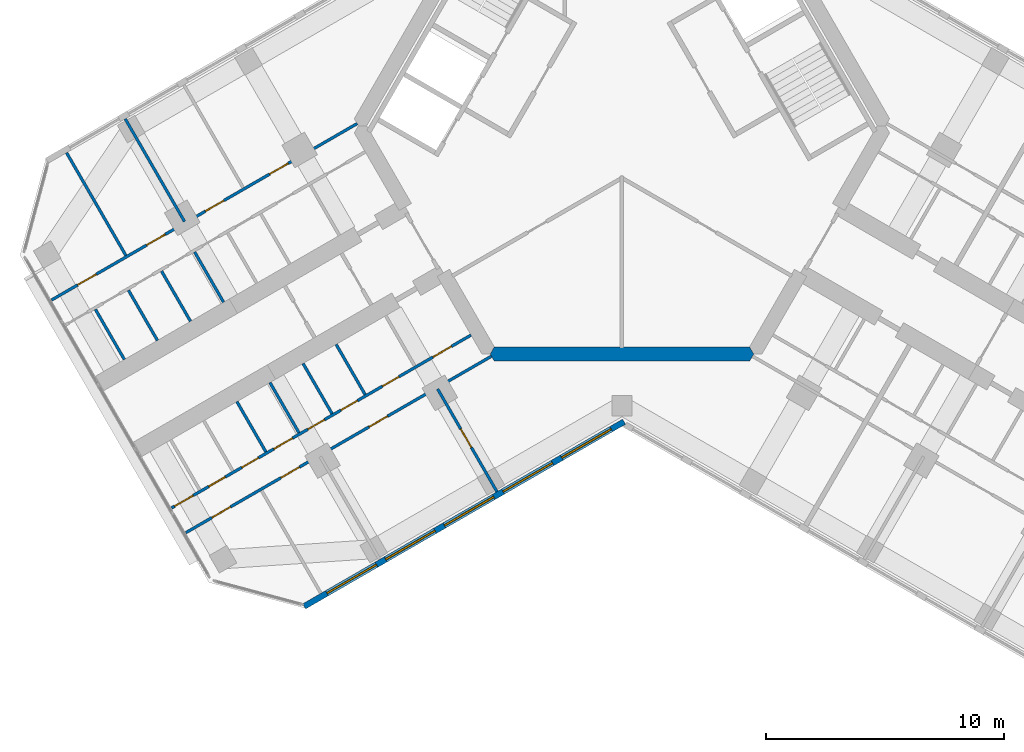
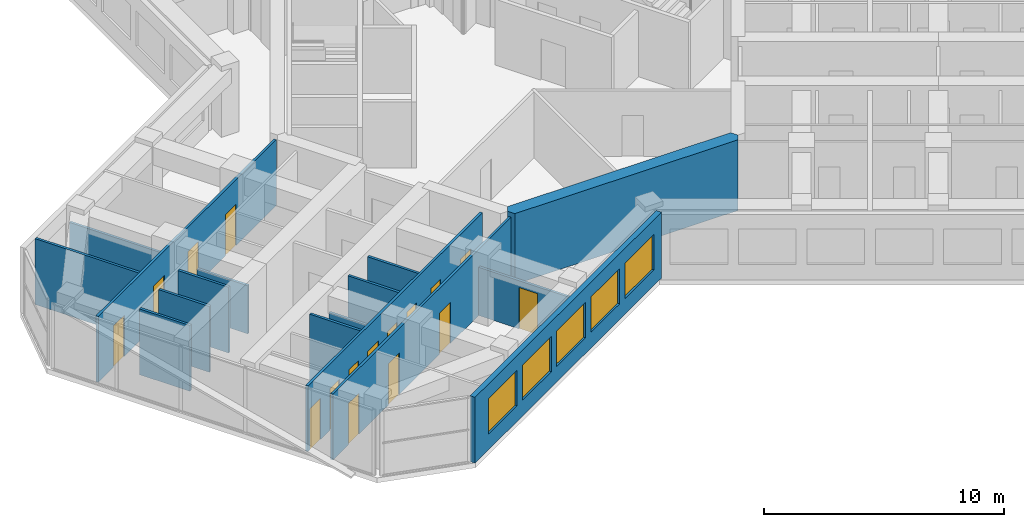
# One storey, part 8 of 16: 16 doors, 16 walls, 5 windows, 21 openings.
"""IFC4 building model written with IfcOpenShell, lengths in metres."""

from ifc_helpers import new_model, si_unit, direction, frame, frame_2d, origin, place, context, subcontext, project, spatial, polyline, rectangle, outline, extrude, material, layer, layer_set, type_object, element, fill, save


model = new_model("IFC4")

# Units and contexts
model_context = context("Model", 3, precision=1e-05, world=origin(), true_north=direction((0.0, 1.0)))
body_context = subcontext(model_context, "Body", "Model", "MODEL_VIEW")
ifc_project = project(units=[si_unit("LENGTHUNIT", "METRE"), si_unit("AREAUNIT", "SQUARE_METRE"), si_unit("VOLUMEUNIT", "CUBIC_METRE"), si_unit("PLANEANGLEUNIT", "RADIAN"), si_unit("MASSUNIT", "GRAM", prefix="KILO")], contexts=[model_context])

# Site, building, storey
site_placement = place(None, origin())
site = spatial("IfcSite", under=ifc_project, at=site_placement, CompositionType="ELEMENT")
building_placement = place(site_placement, origin())
building = spatial("IfcBuilding", under=site, at=building_placement, Name="Kosmar Iwan School Tower", CompositionType="ELEMENT")
storey_placement = place(building_placement, frame((0.0, 0.0, 242.39990234375)))
storey = spatial("IfcBuildingStorey", under=building, at=storey_placement, Name="L61", CompositionType="ELEMENT", Elevation=242.39990234375)

# Wall
ifc_material_1 = material(Name="Concrete C50/60", Category="concrete")
ifc_layer_1 = layer(ifc_material_1, 0.60009765625)
ifc_layer_set_1 = layer_set([ifc_layer_1], Name="Core wall 600")
wall_type_1 = type_object("IfcWallType", Name="Core wall 600", PredefinedType="SHEAR", material=ifc_layer_set_1)
wall_1_placement = place(storey_placement, origin())
element("IfcWall", 1, at=wall_1_placement, inside=storey, type_object=wall_type_1, Name="Core wall F270", PredefinedType="SHEAR", context=body_context, shape_type="SweptSolid", body=[
    extrude(outline(polyline([(-5.369384765625, -9.89990234375), (5.369384765625, -9.89990234375), (5.54248046875, -9.60009765625), (5.369384765625, -9.300048828125), (-5.369384765625, -9.300048828125), (-5.54248046875, -9.60009765625), (-5.369384765625, -9.89990234375)])), origin(), (0.0, 0.0, 1.0), 3.60009765625),
])

# Wall, openings, doors
ifc_material_2 = material(Name="Gypsum board on steel studs", Category="steel")
ifc_layer_2 = layer(ifc_material_2, 0.1201171875)
ifc_layer_set_2 = layer_set([ifc_layer_2], Name="Dwelling partition 120")
wall_type_2 = type_object("IfcWallType", Name="Dwelling partition 120", PredefinedType="PARTITIONING", material=ifc_layer_set_2)
wall_2_placement = place(storey_placement, frame((-6.3486328125, -8.8037109375, 0.0), z_axis=(0.0, 0.0, 1.0), x_axis=(-0.866020949409, -0.500007715126, 0.0)))
wall_2 = element("IfcWall", 2, at=wall_2_placement, inside=storey, type_object=wall_type_2, Name="Partition L61-BL1-W1", PredefinedType="PARTITIONING", context=body_context, shape_type="SweptSolid", body=[
    extrude(rectangle(XDim=14.545166015625, YDim=0.1201171875, at=frame_2d((7.2724609375, 0.0))), origin(), (0.0, 0.0, 1.0), 3.35009765625),
])
opening_1_placement = place(wall_2_placement, frame((0.949951171875, 0.0, 0.0)))
opening_1 = element("IfcOpeningElement", 3, at=opening_1_placement, cuts=wall_2, Name="Opening D2", PredefinedType="OPENING", context=body_context, shape_type="SweptSolid", body=[
    extrude(rectangle(XDim=0.89990234375, YDim=2.10009765625, at=frame_2d((0.449951171875, 1.050048828125))), frame((0.0, 0.072021484375, 0.0), z_axis=(0.0, -1.0, 0.0), x_axis=(1.0, 0.0, 0.0)), (0.0, 0.0, 1.0), 0.14404296875),
])
opening_2_placement = place(wall_2_placement, frame((3.505126953125, 0.0, 0.0)))
opening_2 = element("IfcOpeningElement", 4, at=opening_2_placement, cuts=wall_2, Name="Opening D3", PredefinedType="OPENING", context=body_context, shape_type="SweptSolid", body=[
    extrude(rectangle(XDim=0.800048828125, YDim=2.10009765625, at=frame_2d((0.39990234375, 1.050048828125))), frame((0.0, 0.072021484375, 0.0), z_axis=(0.0, -1.0, 0.0), x_axis=(1.0, 0.0, 0.0)), (0.0, 0.0, 1.0), 0.14404296875),
])
opening_3_placement = place(wall_2_placement, frame((5.513427734375, 0.0, 0.0)))
opening_3 = element("IfcOpeningElement", 5, at=opening_3_placement, cuts=wall_2, Name="Opening D3", PredefinedType="OPENING", context=body_context, shape_type="SweptSolid", body=[
    extrude(rectangle(XDim=0.800048828125, YDim=2.10009765625, at=frame_2d((0.39990234375, 1.050048828125))), frame((0.0, 0.072021484375, 0.0), z_axis=(0.0, -1.0, 0.0), x_axis=(1.0, 0.0, 0.0)), (0.0, 0.0, 1.0), 0.14404296875),
])
opening_4_placement = place(wall_2_placement, frame((7.1201171875, 0.0, 0.0)))
opening_4 = element("IfcOpeningElement", 6, at=opening_4_placement, cuts=wall_2, Name="Opening D3", PredefinedType="OPENING", context=body_context, shape_type="SweptSolid", body=[
    extrude(rectangle(XDim=0.800048828125, YDim=2.10009765625, at=frame_2d((0.39990234375, 1.050048828125))), frame((0.0, 0.072021484375, 0.0), z_axis=(0.0, -1.0, 0.0), x_axis=(1.0, 0.0, 0.0)), (0.0, 0.0, 1.0), 0.14404296875),
])
opening_5_placement = place(wall_2_placement, frame((8.6767578125, 0.0, 0.0)))
opening_5 = element("IfcOpeningElement", 7, at=opening_5_placement, cuts=wall_2, Name="Opening D2", PredefinedType="OPENING", context=body_context, shape_type="SweptSolid", body=[
    extrude(rectangle(XDim=0.89990234375, YDim=2.10009765625, at=frame_2d((0.449951171875, 1.050048828125))), frame((0.0, 0.072021484375, 0.0), z_axis=(0.0, -1.0, 0.0), x_axis=(1.0, 0.0, 0.0)), (0.0, 0.0, 1.0), 0.14404296875),
])
opening_6_placement = place(wall_2_placement, frame((10.333251953125, 0.0, 0.0)))
opening_6 = element("IfcOpeningElement", 8, at=opening_6_placement, cuts=wall_2, Name="Opening D3", PredefinedType="OPENING", context=body_context, shape_type="SweptSolid", body=[
    extrude(rectangle(XDim=0.800048828125, YDim=2.10009765625, at=frame_2d((0.39990234375, 1.050048828125))), frame((0.0, 0.072021484375, 0.0), z_axis=(0.0, -1.0, 0.0), x_axis=(1.0, 0.0, 0.0)), (0.0, 0.0, 1.0), 0.14404296875),
])
opening_7_placement = place(wall_2_placement, frame((11.93994140625, 0.0, 0.0)))
opening_7 = element("IfcOpeningElement", 9, at=opening_7_placement, cuts=wall_2, Name="Opening D3", PredefinedType="OPENING", context=body_context, shape_type="SweptSolid", body=[
    extrude(rectangle(XDim=0.800048828125, YDim=2.10009765625, at=frame_2d((0.39990234375, 1.050048828125))), frame((0.0, 0.072021484375, 0.0), z_axis=(0.0, -1.0, 0.0), x_axis=(1.0, 0.0, 0.0)), (0.0, 0.0, 1.0), 0.14404296875),
])
opening_8_placement = place(wall_2_placement, frame((13.49658203125, 0.0, 0.0)))
opening_8 = element("IfcOpeningElement", 10, at=opening_8_placement, cuts=wall_2, Name="Opening D2", PredefinedType="OPENING", context=body_context, shape_type="SweptSolid", body=[
    extrude(rectangle(XDim=0.89990234375, YDim=2.10009765625, at=frame_2d((0.449951171875, 1.050048828125))), frame((0.0, 0.072021484375, 0.0), z_axis=(0.0, -1.0, 0.0), x_axis=(1.0, 0.0, 0.0)), (0.0, 0.0, 1.0), 0.14404296875),
])
ifc_material_3 = material(Name="Timber door in timber frame", Category="wood")
door_type_1 = type_object("IfcDoorType", Name="Internal door 900x2100", OperationType="SINGLE_SWING_LEFT", PredefinedType="DOOR", material=ifc_material_3)
door_1_placement = place(opening_1_placement, origin())
door_1 = element("IfcDoor", 11, at=door_1_placement, inside=storey, type_object=door_type_1, Name="Entrance hall door L61-BL1-S1", OperationType="SINGLE_SWING_LEFT", OverallHeight=2.10009765625, OverallWidth=0.89990234375, PredefinedType="DOOR", context=body_context, shape_type="SweptSolid", body=[
    extrude(rectangle(XDim=0.89990234375, YDim=2.10009765625, at=frame_2d((0.449951171875, 1.050048828125))), frame((0.0, 0.02490234375, 0.0), z_axis=(0.0, -1.0, 0.0), x_axis=(1.0, 0.0, 0.0)), (0.0, 0.0, 1.0), 0.050048828125),
])
fill(opening_1, door_1)
door_2_placement = place(opening_5_placement, origin())
door_2 = element("IfcDoor", 12, at=door_2_placement, inside=storey, type_object=door_type_1, Name="Pantry door L61-BL1-S5", OperationType="SINGLE_SWING_RIGHT", OverallHeight=2.10009765625, OverallWidth=0.89990234375, PredefinedType="DOOR", context=body_context, shape_type="SweptSolid", body=[
    extrude(rectangle(XDim=0.89990234375, YDim=2.10009765625, at=frame_2d((0.449951171875, 1.050048828125))), frame((0.0, 0.02490234375, 0.0), z_axis=(0.0, -1.0, 0.0), x_axis=(1.0, 0.0, 0.0)), (0.0, 0.0, 1.0), 0.050048828125),
])
fill(opening_5, door_2)
door_3_placement = place(opening_8_placement, origin())
door_3 = element("IfcDoor", 13, at=door_3_placement, inside=storey, type_object=door_type_1, Name="Utility room door L61-BL1-S8", OperationType="SINGLE_SWING_RIGHT", OverallHeight=2.10009765625, OverallWidth=0.89990234375, PredefinedType="DOOR", context=body_context, shape_type="SweptSolid", body=[
    extrude(rectangle(XDim=0.89990234375, YDim=2.10009765625, at=frame_2d((0.449951171875, 1.050048828125))), frame((0.0, 0.02490234375, 0.0), z_axis=(0.0, -1.0, 0.0), x_axis=(1.0, 0.0, 0.0)), (0.0, 0.0, 1.0), 0.050048828125),
])
fill(opening_8, door_3)
ifc_material_4 = material(Name="Timber door in timber frame", Category="wood")
door_type_2 = type_object("IfcDoorType", Name="Sanitary room door 800x2100", OperationType="SINGLE_SWING_LEFT", PredefinedType="DOOR", material=ifc_material_4)
door_4_placement = place(opening_2_placement, origin())
door_4 = element("IfcDoor", 14, at=door_4_placement, inside=storey, type_object=door_type_2, Name="Bathroom door L61-BL1-S2", OperationType="SINGLE_SWING_LEFT", OverallHeight=2.10009765625, OverallWidth=0.800048828125, PredefinedType="DOOR", context=body_context, shape_type="SweptSolid", body=[
    extrude(rectangle(XDim=0.800048828125, YDim=2.10009765625, at=frame_2d((0.39990234375, 1.050048828125))), frame((0.0, 0.02490234375, 0.0), z_axis=(0.0, -1.0, 0.0), x_axis=(1.0, 0.0, 0.0)), (0.0, 0.0, 1.0), 0.050048828125),
])
fill(opening_2, door_4)
door_5_placement = place(opening_3_placement, origin())
door_5 = element("IfcDoor", 15, at=door_5_placement, inside=storey, type_object=door_type_2, Name="Grandparents' shower room door L61-BL1-S3", OperationType="SINGLE_SWING_LEFT", OverallHeight=2.10009765625, OverallWidth=0.800048828125, PredefinedType="DOOR", context=body_context, shape_type="SweptSolid", body=[
    extrude(rectangle(XDim=0.800048828125, YDim=2.10009765625, at=frame_2d((0.39990234375, 1.050048828125))), frame((0.0, 0.02490234375, 0.0), z_axis=(0.0, -1.0, 0.0), x_axis=(1.0, 0.0, 0.0)), (0.0, 0.0, 1.0), 0.050048828125),
])
fill(opening_3, door_5)
door_6_placement = place(opening_4_placement, origin())
door_6 = element("IfcDoor", 16, at=door_6_placement, inside=storey, type_object=door_type_2, Name="Shower room door L61-BL1-S4", OperationType="SINGLE_SWING_RIGHT", OverallHeight=2.10009765625, OverallWidth=0.800048828125, PredefinedType="DOOR", context=body_context, shape_type="SweptSolid", body=[
    extrude(rectangle(XDim=0.800048828125, YDim=2.10009765625, at=frame_2d((0.39990234375, 1.050048828125))), frame((0.0, 0.02490234375, 0.0), z_axis=(0.0, -1.0, 0.0), x_axis=(1.0, 0.0, 0.0)), (0.0, 0.0, 1.0), 0.050048828125),
])
fill(opening_4, door_6)
door_7_placement = place(opening_6_placement, origin())
door_7 = element("IfcDoor", 17, at=door_7_placement, inside=storey, type_object=door_type_2, Name="WC door L61-BL1-S6", OperationType="SINGLE_SWING_RIGHT", OverallHeight=2.10009765625, OverallWidth=0.800048828125, PredefinedType="DOOR", context=body_context, shape_type="SweptSolid", body=[
    extrude(rectangle(XDim=0.800048828125, YDim=2.10009765625, at=frame_2d((0.39990234375, 1.050048828125))), frame((0.0, 0.02490234375, 0.0), z_axis=(0.0, -1.0, 0.0), x_axis=(1.0, 0.0, 0.0)), (0.0, 0.0, 1.0), 0.050048828125),
])
fill(opening_6, door_7)
door_8_placement = place(opening_7_placement, origin())
door_8 = element("IfcDoor", 18, at=door_8_placement, inside=storey, type_object=door_type_2, Name="Store door L61-BL1-S7", OperationType="SINGLE_SWING_RIGHT", OverallHeight=2.10009765625, OverallWidth=0.800048828125, PredefinedType="DOOR", context=body_context, shape_type="SweptSolid", body=[
    extrude(rectangle(XDim=0.800048828125, YDim=2.10009765625, at=frame_2d((0.39990234375, 1.050048828125))), frame((0.0, 0.02490234375, 0.0), z_axis=(0.0, -1.0, 0.0), x_axis=(1.0, 0.0, 0.0)), (0.0, 0.0, 1.0), 0.050048828125),
])
fill(opening_7, door_8)

wall_3_placement = place(storey_placement, frame((-5.48876953125, -9.693115234375, 0.0), z_axis=(0.0, 0.0, 1.0), x_axis=(-0.866030301974, -0.499991515992, 0.0)))
wall_3 = element("IfcWall", 19, at=wall_3_placement, inside=storey, type_object=wall_type_2, Name="Partition L61-BL1-W2", PredefinedType="PARTITIONING", context=body_context, shape_type="SweptSolid", body=[
    extrude(rectangle(XDim=14.844970703125, YDim=0.1201171875, at=frame_2d((7.42236328125, 0.0))), origin(), (0.0, 0.0, 1.0), 3.35009765625),
])
opening_9_placement = place(wall_3_placement, frame((5.050048828125, 0.0, 0.0)))
opening_9 = element("IfcOpeningElement", 20, at=opening_9_placement, cuts=wall_3, Name="Opening D2", PredefinedType="OPENING", context=body_context, shape_type="SweptSolid", body=[
    extrude(rectangle(XDim=0.89990234375, YDim=2.10009765625, at=frame_2d((0.449951171875, 1.050048828125))), frame((0.0, 0.072021484375, 0.0), z_axis=(0.0, -1.0, 0.0), x_axis=(1.0, 0.0, 0.0)), (0.0, 0.0, 1.0), 0.14404296875),
])
opening_10_placement = place(wall_3_placement, frame((9.324951171875, 0.0, 0.0)))
opening_10 = element("IfcOpeningElement", 21, at=opening_10_placement, cuts=wall_3, Name="Opening D2", PredefinedType="OPENING", context=body_context, shape_type="SweptSolid", body=[
    extrude(rectangle(XDim=0.89990234375, YDim=2.10009765625, at=frame_2d((0.449951171875, 1.050048828125))), frame((0.0, 0.072021484375, 0.0), z_axis=(0.0, -1.0, 0.0), x_axis=(1.0, 0.0, 0.0)), (0.0, 0.0, 1.0), 0.14404296875),
])
opening_11_placement = place(wall_3_placement, frame((12.675048828125, 0.0, 0.0)))
opening_11 = element("IfcOpeningElement", 22, at=opening_11_placement, cuts=wall_3, Name="Opening D2", PredefinedType="OPENING", context=body_context, shape_type="SweptSolid", body=[
    extrude(rectangle(XDim=0.89990234375, YDim=2.10009765625, at=frame_2d((0.449951171875, 1.050048828125))), frame((0.0, 0.072021484375, 0.0), z_axis=(0.0, -1.0, 0.0), x_axis=(1.0, 0.0, 0.0)), (0.0, 0.0, 1.0), 0.14404296875),
])
door_9_placement = place(opening_9_placement, origin())
door_9 = element("IfcDoor", 23, at=door_9_placement, inside=storey, type_object=door_type_1, Name="Living room door L61-BL1-F2", OperationType="SINGLE_SWING_RIGHT", OverallHeight=2.10009765625, OverallWidth=0.89990234375, PredefinedType="DOOR", context=body_context, shape_type="SweptSolid", body=[
    extrude(rectangle(XDim=0.89990234375, YDim=2.10009765625, at=frame_2d((0.449951171875, 1.050048828125))), frame((0.0, 0.02490234375, 0.0), z_axis=(0.0, -1.0, 0.0), x_axis=(1.0, 0.0, 0.0)), (0.0, 0.0, 1.0), 0.050048828125),
])
fill(opening_9, door_9)
door_10_placement = place(opening_10_placement, origin())
door_10 = element("IfcDoor", 24, at=door_10_placement, inside=storey, type_object=door_type_1, Name="Grandparents' suite door L61-BL1-F3", OperationType="SINGLE_SWING_LEFT", OverallHeight=2.10009765625, OverallWidth=0.89990234375, PredefinedType="DOOR", context=body_context, shape_type="SweptSolid", body=[
    extrude(rectangle(XDim=0.89990234375, YDim=2.10009765625, at=frame_2d((0.449951171875, 1.050048828125))), frame((0.0, 0.02490234375, 0.0), z_axis=(0.0, -1.0, 0.0), x_axis=(1.0, 0.0, 0.0)), (0.0, 0.0, 1.0), 0.050048828125),
])
fill(opening_10, door_10)
door_11_placement = place(opening_11_placement, origin())
door_11 = element("IfcDoor", 25, at=door_11_placement, inside=storey, type_object=door_type_1, Name="Bedroom 1 door L61-BL1-F4", OperationType="SINGLE_SWING_RIGHT", OverallHeight=2.10009765625, OverallWidth=0.89990234375, PredefinedType="DOOR", context=body_context, shape_type="SweptSolid", body=[
    extrude(rectangle(XDim=0.89990234375, YDim=2.10009765625, at=frame_2d((0.449951171875, 1.050048828125))), frame((0.0, 0.02490234375, 0.0), z_axis=(0.0, -1.0, 0.0), x_axis=(1.0, 0.0, 0.0)), (0.0, 0.0, 1.0), 0.050048828125),
])
fill(opening_11, door_11)

# Wall, opening, door
wall_4_placement = place(storey_placement, frame((-7.75390625, -11.070068359375, 0.0), z_axis=(0.0, 0.0, 1.0), x_axis=(0.500011847778, -0.866018563358, 0.0)))
wall_4 = element("IfcWall", 26, at=wall_4_placement, inside=storey, type_object=wall_type_2, Name="Partition L61-BL1-X1", PredefinedType="PARTITIONING", context=body_context, shape_type="SweptSolid", body=[
    extrude(rectangle(XDim=4.990234375, YDim=0.1201171875, at=frame_2d((2.4951171875, 0.0))), origin(), (0.0, 0.0, 1.0), 2.4501953125),
])
opening_12_placement = place(wall_4_placement, frame((1.93994140625, 0.0, 0.0)))
opening_12 = element("IfcOpeningElement", 27, at=opening_12_placement, cuts=wall_4, Name="Opening D2", PredefinedType="OPENING", context=body_context, shape_type="SweptSolid", body=[
    extrude(rectangle(XDim=0.89990234375, YDim=2.10009765625, at=frame_2d((0.449951171875, 1.050048828125))), frame((0.0, 0.072021484375, 0.0), z_axis=(0.0, -1.0, 0.0), x_axis=(1.0, 0.0, 0.0)), (0.0, 0.0, 1.0), 0.14404296875),
])
door_12_placement = place(opening_12_placement, origin())
door_12 = element("IfcDoor", 28, at=door_12_placement, inside=storey, type_object=door_type_1, Name="Kitchen and dining room door L61-BL1-F1", OperationType="SINGLE_SWING_LEFT", OverallHeight=2.10009765625, OverallWidth=0.89990234375, PredefinedType="DOOR", context=body_context, shape_type="SweptSolid", body=[
    extrude(rectangle(XDim=0.89990234375, YDim=2.10009765625, at=frame_2d((0.449951171875, 1.050048828125))), frame((0.0, 0.02490234375, 0.0), z_axis=(0.0, -1.0, 0.0), x_axis=(1.0, 0.0, 0.0)), (0.0, 0.0, 1.0), 0.050048828125),
])
fill(opening_12, door_12)

# Walls
for number, where, z_axis, x_axis, name in (
    (29, (-12.02392578125, -9.19384765625, 0.0), (0.0, 0.0, 1.0), (0.500002508028, -0.866023955769, 0.0), "Partition L61-BL1-Y2"),
    (30, (-13.41552734375, -9.9970703125, 0.0), (0.0, 0.0, 1.0), (0.500002508028, -0.866023955769, 0.0), "Partition L61-BL1-Y3"),
):
    element("IfcWall", number, at=place(storey_placement, frame(where, z_axis=z_axis, x_axis=x_axis)), inside=storey, type_object=wall_type_2, Name=name, PredefinedType="PARTITIONING", context=body_context, shape_type="SweptSolid", body=[
        extrude(rectangle(XDim=2.43994140625, YDim=0.1201171875, at=frame_2d((1.219970703125, 0.0))), origin(), (0.0, 0.0, 1.0), 3.35009765625),
    ])
wall_5_placement = place(storey_placement, frame((-14.806884765625, -10.80029296875, 0.0), z_axis=(0.0, 0.0, 1.0), x_axis=(0.499959183527, -0.866048967903, 0.0)))
element("IfcWall", 31, at=wall_5_placement, inside=storey, type_object=wall_type_2, Name="Partition L61-BL1-Y4", PredefinedType="PARTITIONING", context=body_context, shape_type="SweptSolid", body=[
    extrude(rectangle(XDim=2.440185546875, YDim=0.1201171875, at=frame_2d((1.22021484375, 0.0))), origin(), (0.0, 0.0, 1.0), 2.4501953125),
])
wall_6_placement = place(storey_placement, frame((-16.1982421875, -11.603759765625, 0.0), z_axis=(0.0, 0.0, 1.0), x_axis=(0.500002508028, -0.866023955769, 0.0)))
element("IfcWall", 32, at=wall_6_placement, inside=storey, type_object=wall_type_2, Name="Partition L61-BL1-Y5", PredefinedType="PARTITIONING", context=body_context, shape_type="SweptSolid", body=[
    extrude(rectangle(XDim=2.43994140625, YDim=0.1201171875, at=frame_2d((1.219970703125, 0.0))), origin(), (0.0, 0.0, 1.0), 3.35009765625),
])

# Wall, openings, doors
wall_7_placement = place(storey_placement, frame((-11.138916015625, 0.093017578125, 0.0), z_axis=(0.0, 0.0, 1.0), x_axis=(-0.866030301974, -0.499991515992, 0.0)))
wall_7 = element("IfcWall", 33, at=wall_7_placement, inside=storey, type_object=wall_type_2, Name="Partition L61-BR1-W2", PredefinedType="PARTITIONING", context=body_context, shape_type="SweptSolid", body=[
    extrude(rectangle(XDim=14.844970703125, YDim=0.1201171875, at=frame_2d((7.42236328125, 0.0))), origin(), (0.0, 0.0, 1.0), 3.35009765625),
])
opening_13_placement = place(wall_7_placement, frame((3.35009765625, 0.0, 0.0)))
opening_13 = element("IfcOpeningElement", 34, at=opening_13_placement, cuts=wall_7, Name="Opening D2", PredefinedType="OPENING", context=body_context, shape_type="SweptSolid", body=[
    extrude(rectangle(XDim=0.89990234375, YDim=2.10009765625, at=frame_2d((0.449951171875, 1.050048828125))), frame((0.0, 0.072021484375, 0.0), z_axis=(0.0, -1.0, 0.0), x_axis=(1.0, 0.0, 0.0)), (0.0, 0.0, 1.0), 0.14404296875),
])
opening_14_placement = place(wall_7_placement, frame((6.47509765625, 0.0, 0.0)))
opening_14 = element("IfcOpeningElement", 35, at=opening_14_placement, cuts=wall_7, Name="Opening D2", PredefinedType="OPENING", context=body_context, shape_type="SweptSolid", body=[
    extrude(rectangle(XDim=0.89990234375, YDim=2.10009765625, at=frame_2d((0.449951171875, 1.050048828125))), frame((0.0, 0.072021484375, 0.0), z_axis=(0.0, -1.0, 0.0), x_axis=(1.0, 0.0, 0.0)), (0.0, 0.0, 1.0), 0.14404296875),
])
opening_15_placement = place(wall_7_placement, frame((9.324951171875, 0.0, 0.0)))
opening_15 = element("IfcOpeningElement", 36, at=opening_15_placement, cuts=wall_7, Name="Opening D2", PredefinedType="OPENING", context=body_context, shape_type="SweptSolid", body=[
    extrude(rectangle(XDim=0.89990234375, YDim=2.10009765625, at=frame_2d((0.449951171875, 1.050048828125))), frame((0.0, 0.072021484375, 0.0), z_axis=(0.0, -1.0, 0.0), x_axis=(1.0, 0.0, 0.0)), (0.0, 0.0, 1.0), 0.14404296875),
])
opening_16_placement = place(wall_7_placement, frame((12.675048828125, 0.0, 0.0)))
opening_16 = element("IfcOpeningElement", 37, at=opening_16_placement, cuts=wall_7, Name="Opening D2", PredefinedType="OPENING", context=body_context, shape_type="SweptSolid", body=[
    extrude(rectangle(XDim=0.89990234375, YDim=2.10009765625, at=frame_2d((0.449951171875, 1.050048828125))), frame((0.0, 0.072021484375, 0.0), z_axis=(0.0, -1.0, 0.0), x_axis=(1.0, 0.0, 0.0)), (0.0, 0.0, 1.0), 0.14404296875),
])
door_13_placement = place(opening_13_placement, origin())
door_13 = element("IfcDoor", 38, at=door_13_placement, inside=storey, type_object=door_type_1, Name="Living room and kitchen door L61-BR1-F1", OperationType="SINGLE_SWING_LEFT", OverallHeight=2.10009765625, OverallWidth=0.89990234375, PredefinedType="DOOR", context=body_context, shape_type="SweptSolid", body=[
    extrude(rectangle(XDim=0.89990234375, YDim=2.10009765625, at=frame_2d((0.449951171875, 1.050048828125))), frame((0.0, 0.02490234375, 0.0), z_axis=(0.0, -1.0, 0.0), x_axis=(1.0, 0.0, 0.0)), (0.0, 0.0, 1.0), 0.050048828125),
])
fill(opening_13, door_13)
door_14_placement = place(opening_14_placement, origin())
door_14 = element("IfcDoor", 39, at=door_14_placement, inside=storey, type_object=door_type_1, Name="Grandparents' suite door L61-BR1-F2", OperationType="SINGLE_SWING_LEFT", OverallHeight=2.10009765625, OverallWidth=0.89990234375, PredefinedType="DOOR", context=body_context, shape_type="SweptSolid", body=[
    extrude(rectangle(XDim=0.89990234375, YDim=2.10009765625, at=frame_2d((0.449951171875, 1.050048828125))), frame((0.0, 0.02490234375, 0.0), z_axis=(0.0, -1.0, 0.0), x_axis=(1.0, 0.0, 0.0)), (0.0, 0.0, 1.0), 0.050048828125),
])
fill(opening_14, door_14)
door_15_placement = place(opening_15_placement, origin())
door_15 = element("IfcDoor", 40, at=door_15_placement, inside=storey, type_object=door_type_1, Name="Bedroom 1 door L61-BR1-F3", OperationType="SINGLE_SWING_RIGHT", OverallHeight=2.10009765625, OverallWidth=0.89990234375, PredefinedType="DOOR", context=body_context, shape_type="SweptSolid", body=[
    extrude(rectangle(XDim=0.89990234375, YDim=2.10009765625, at=frame_2d((0.449951171875, 1.050048828125))), frame((0.0, 0.02490234375, 0.0), z_axis=(0.0, -1.0, 0.0), x_axis=(1.0, 0.0, 0.0)), (0.0, 0.0, 1.0), 0.050048828125),
])
fill(opening_15, door_15)
door_16_placement = place(opening_16_placement, origin())
door_16 = element("IfcDoor", 41, at=door_16_placement, inside=storey, type_object=door_type_1, Name="Study door L61-BR1-F4", OperationType="SINGLE_SWING_RIGHT", OverallHeight=2.10009765625, OverallWidth=0.89990234375, PredefinedType="DOOR", context=body_context, shape_type="SweptSolid", body=[
    extrude(rectangle(XDim=0.89990234375, YDim=2.10009765625, at=frame_2d((0.449951171875, 1.050048828125))), frame((0.0, 0.02490234375, 0.0), z_axis=(0.0, -1.0, 0.0), x_axis=(1.0, 0.0, 0.0)), (0.0, 0.0, 1.0), 0.050048828125),
])
fill(opening_16, door_16)

# Walls
wall_8_placement = place(storey_placement, frame((-18.400146484375, -4.030029296875, 0.0), z_axis=(0.0, 0.0, 1.0), x_axis=(-0.500011847778, 0.866018563358, 0.0)))
element("IfcWall", 42, at=wall_8_placement, inside=storey, type_object=wall_type_2, Name="Partition L61-BR1-X2", PredefinedType="PARTITIONING", context=body_context, shape_type="SweptSolid", body=[
    extrude(rectangle(XDim=4.990234375, YDim=0.1201171875, at=frame_2d((2.4951171875, 0.0))), origin(), (0.0, 0.0, 1.0), 2.4501953125),
])
wall_9_placement = place(storey_placement, frame((-20.868408203125, -5.455078125, 0.0), z_axis=(0.0, 0.0, 1.0), x_axis=(-0.499975153383, 0.86603974851, 0.0)))
element("IfcWall", 43, at=wall_9_placement, inside=storey, type_object=wall_type_2, Name="Partition L61-BR1-X3", PredefinedType="PARTITIONING", context=body_context, shape_type="SweptSolid", body=[
    extrude(rectangle(XDim=4.989990234375, YDim=0.1201171875, at=frame_2d((2.4951171875, 0.0))), origin(), (0.0, 0.0, 1.0), 3.35009765625),
])
wall_10_placement = place(storey_placement, frame((-16.7568359375, -7.4228515625, 0.0), z_axis=(0.0, 0.0, 1.0), x_axis=(-0.500002508028, 0.866023955769, 0.0)))
element("IfcWall", 44, at=wall_10_placement, inside=storey, type_object=wall_type_2, Name="Partition L61-BR1-Y4", PredefinedType="PARTITIONING", context=body_context, shape_type="SweptSolid", body=[
    extrude(rectangle(XDim=2.43994140625, YDim=0.1201171875, at=frame_2d((1.219970703125, 0.0))), origin(), (0.0, 0.0, 1.0), 2.4501953125),
])
wall_11_placement = place(storey_placement, frame((-18.148193359375, -8.226318359375, 0.0), z_axis=(0.0, 0.0, 1.0), x_axis=(-0.500034220881, 0.866005645448, 0.0)))
element("IfcWall", 45, at=wall_11_placement, inside=storey, type_object=wall_type_2, Name="Partition L61-BR1-Y5", PredefinedType="PARTITIONING", context=body_context, shape_type="SweptSolid", body=[
    extrude(rectangle(XDim=2.440185546875, YDim=0.1201171875, at=frame_2d((1.22021484375, 0.0))), origin(), (0.0, 0.0, 1.0), 3.35009765625),
])
wall_12_placement = place(storey_placement, frame((-19.539794921875, -9.029541015625, 0.0), z_axis=(0.0, 0.0, 1.0), x_axis=(-0.500002508028, 0.866023955769, 0.0)))
element("IfcWall", 46, at=wall_12_placement, inside=storey, type_object=wall_type_2, Name="Partition L61-BR1-Y6", PredefinedType="PARTITIONING", context=body_context, shape_type="SweptSolid", body=[
    extrude(rectangle(XDim=2.43994140625, YDim=0.1201171875, at=frame_2d((1.219970703125, 0.0))), origin(), (0.0, 0.0, 1.0), 3.35009765625),
])
wall_13_placement = place(storey_placement, frame((-20.93115234375, -9.8330078125, 0.0), z_axis=(0.0, 0.0, 1.0), x_axis=(-0.499959183527, 0.866048967903, 0.0)))
element("IfcWall", 47, at=wall_13_placement, inside=storey, type_object=wall_type_2, Name="Partition L61-BR1-Y7", PredefinedType="PARTITIONING", context=body_context, shape_type="SweptSolid", body=[
    extrude(rectangle(XDim=2.440185546875, YDim=0.1201171875, at=frame_2d((1.22021484375, 0.0))), origin(), (0.0, 0.0, 1.0), 3.35009765625),
])

# Wall, openings, windows
ifc_material_5 = material(Name="Black aluminium rainscreen on insulated framing", Category="aluminium")
ifc_layer_3 = layer(ifc_material_5, 0.25)
ifc_layer_set_3 = layer_set([ifc_layer_3], Name="External wall rainscreen 250")
wall_type_3 = type_object("IfcWallType", Name="External wall rainscreen 250", PredefinedType="SOLIDWALL", material=ifc_layer_set_3)
wall_14_placement = place(storey_placement, frame((0.088134765625, -12.44873046875, 0.0), z_axis=(0.0, 0.0, 1.0), x_axis=(-0.866029894971, -0.499992220956, 0.0)))
wall_14 = element("IfcWall", 48, at=wall_14_placement, inside=storey, type_object=wall_type_3, Name="External wall BL L61", PredefinedType="SOLIDWALL", context=body_context, shape_type="SweptSolid", body=[
    extrude(rectangle(XDim=15.537353515625, YDim=0.25, at=frame_2d((7.7685546875, 0.0))), origin(), (0.0, 0.0, 1.0), 3.35009765625),
])
opening_17_placement = place(wall_14_placement, frame((0.626953125, 0.0, 0.800048828125)))
opening_17 = element("IfcOpeningElement", 49, at=opening_17_placement, cuts=wall_14, Name="Opening W5", PredefinedType="OPENING", context=body_context, shape_type="SweptSolid", body=[
    extrude(rectangle(XDim=2.39990234375, YDim=1.800048828125, at=frame_2d((1.199951171875, 0.89990234375))), frame((0.0, 0.136962890625, 0.0), z_axis=(0.0, -1.0, 0.0), x_axis=(1.0, 0.0, 0.0)), (0.0, 0.0, 1.0), 0.27392578125),
])
opening_18_placement = place(wall_14_placement, frame((3.47705078125, 0.0, 0.800048828125)))
opening_18 = element("IfcOpeningElement", 50, at=opening_18_placement, cuts=wall_14, Name="Opening W5", PredefinedType="OPENING", context=body_context, shape_type="SweptSolid", body=[
    extrude(rectangle(XDim=2.39990234375, YDim=1.800048828125, at=frame_2d((1.199951171875, 0.89990234375))), frame((0.0, 0.136962890625, 0.0), z_axis=(0.0, -1.0, 0.0), x_axis=(1.0, 0.0, 0.0)), (0.0, 0.0, 1.0), 0.27392578125),
])
opening_19_placement = place(wall_14_placement, frame((6.326904296875, 0.0, 0.800048828125)))
opening_19 = element("IfcOpeningElement", 51, at=opening_19_placement, cuts=wall_14, Name="Opening W5", PredefinedType="OPENING", context=body_context, shape_type="SweptSolid", body=[
    extrude(rectangle(XDim=2.39990234375, YDim=1.800048828125, at=frame_2d((1.199951171875, 0.89990234375))), frame((0.0, 0.136962890625, 0.0), z_axis=(0.0, -1.0, 0.0), x_axis=(1.0, 0.0, 0.0)), (0.0, 0.0, 1.0), 0.27392578125),
])
opening_20_placement = place(wall_14_placement, frame((9.177001953125, 0.0, 0.800048828125)))
opening_20 = element("IfcOpeningElement", 52, at=opening_20_placement, cuts=wall_14, Name="Opening W5", PredefinedType="OPENING", context=body_context, shape_type="SweptSolid", body=[
    extrude(rectangle(XDim=2.39990234375, YDim=1.800048828125, at=frame_2d((1.199951171875, 0.89990234375))), frame((0.0, 0.136962890625, 0.0), z_axis=(0.0, -1.0, 0.0), x_axis=(1.0, 0.0, 0.0)), (0.0, 0.0, 1.0), 0.27392578125),
])
opening_21_placement = place(wall_14_placement, frame((12.027099609375, 0.0, 0.800048828125)))
opening_21 = element("IfcOpeningElement", 53, at=opening_21_placement, cuts=wall_14, Name="Opening W5", PredefinedType="OPENING", context=body_context, shape_type="SweptSolid", body=[
    extrude(rectangle(XDim=2.39990234375, YDim=1.800048828125, at=frame_2d((1.199951171875, 0.89990234375))), frame((0.0, 0.136962890625, 0.0), z_axis=(0.0, -1.0, 0.0), x_axis=(1.0, 0.0, 0.0)), (0.0, 0.0, 1.0), 0.27392578125),
])
ifc_material_6 = material(Name="Black aluminium frame with dark triple glazing", Category="aluminium")
window_type = type_object("IfcWindowType", Name="Window 2400x1800", PartitioningType="SINGLE_PANEL", PredefinedType="WINDOW", material=ifc_material_6)
window_1_placement = place(opening_17_placement, origin())
window_1 = element("IfcWindow", 54, at=window_1_placement, inside=storey, type_object=window_type, Name="Window BL L61 -1", OverallHeight=1.800048828125, OverallWidth=2.39990234375, PartitioningType="SINGLE_PANEL", PredefinedType="WINDOW", context=body_context, shape_type="SweptSolid", body=[
    extrude(rectangle(XDim=2.39990234375, YDim=1.800048828125, at=frame_2d((1.199951171875, 0.89990234375))), frame((0.0, 0.030029296875, 0.0), z_axis=(0.0, -1.0, 0.0), x_axis=(1.0, 0.0, 0.0)), (0.0, 0.0, 1.0), 0.06005859375),
])
fill(opening_17, window_1)
window_2_placement = place(opening_18_placement, origin())
window_2 = element("IfcWindow", 55, at=window_2_placement, inside=storey, type_object=window_type, Name="Window BL L61 0", OverallHeight=1.800048828125, OverallWidth=2.39990234375, PartitioningType="SINGLE_PANEL", PredefinedType="WINDOW", context=body_context, shape_type="SweptSolid", body=[
    extrude(rectangle(XDim=2.39990234375, YDim=1.800048828125, at=frame_2d((1.199951171875, 0.89990234375))), frame((0.0, 0.030029296875, 0.0), z_axis=(0.0, -1.0, 0.0), x_axis=(1.0, 0.0, 0.0)), (0.0, 0.0, 1.0), 0.06005859375),
])
fill(opening_18, window_2)
window_3_placement = place(opening_19_placement, origin())
window_3 = element("IfcWindow", 56, at=window_3_placement, inside=storey, type_object=window_type, Name="Window BL L61 1", OverallHeight=1.800048828125, OverallWidth=2.39990234375, PartitioningType="SINGLE_PANEL", PredefinedType="WINDOW", context=body_context, shape_type="SweptSolid", body=[
    extrude(rectangle(XDim=2.39990234375, YDim=1.800048828125, at=frame_2d((1.199951171875, 0.89990234375))), frame((0.0, 0.030029296875, 0.0), z_axis=(0.0, -1.0, 0.0), x_axis=(1.0, 0.0, 0.0)), (0.0, 0.0, 1.0), 0.06005859375),
])
fill(opening_19, window_3)
window_4_placement = place(opening_20_placement, origin())
window_4 = element("IfcWindow", 57, at=window_4_placement, inside=storey, type_object=window_type, Name="Window BL L61 2", OverallHeight=1.800048828125, OverallWidth=2.39990234375, PartitioningType="SINGLE_PANEL", PredefinedType="WINDOW", context=body_context, shape_type="SweptSolid", body=[
    extrude(rectangle(XDim=2.39990234375, YDim=1.800048828125, at=frame_2d((1.199951171875, 0.89990234375))), frame((0.0, 0.030029296875, 0.0), z_axis=(0.0, -1.0, 0.0), x_axis=(1.0, 0.0, 0.0)), (0.0, 0.0, 1.0), 0.06005859375),
])
fill(opening_20, window_4)
window_5_placement = place(opening_21_placement, origin())
window_5 = element("IfcWindow", 58, at=window_5_placement, inside=storey, type_object=window_type, Name="Window BL L61 3", OverallHeight=1.800048828125, OverallWidth=2.39990234375, PartitioningType="SINGLE_PANEL", PredefinedType="WINDOW", context=body_context, shape_type="SweptSolid", body=[
    extrude(rectangle(XDim=2.39990234375, YDim=1.800048828125, at=frame_2d((1.199951171875, 0.89990234375))), frame((0.0, 0.030029296875, 0.0), z_axis=(0.0, -1.0, 0.0), x_axis=(1.0, 0.0, 0.0)), (0.0, 0.0, 1.0), 0.06005859375),
])
fill(opening_21, window_5)

save(model, "model.ifc")
